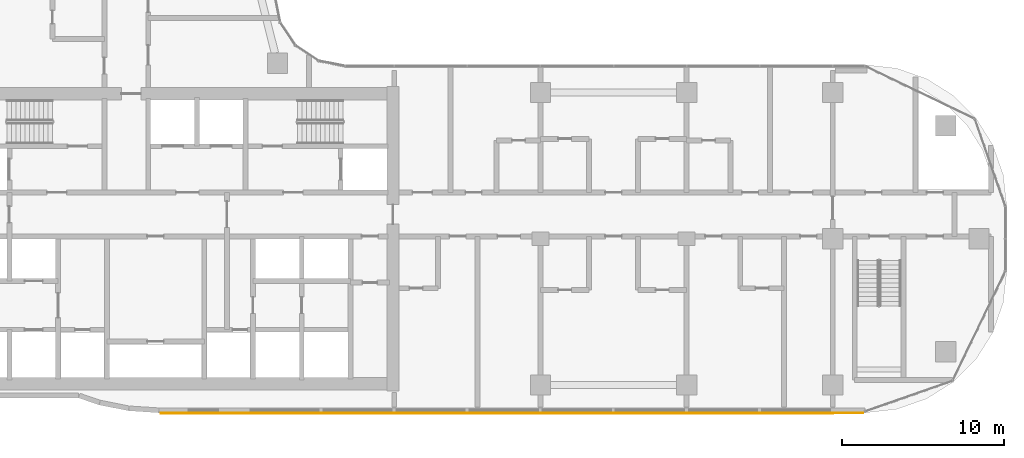
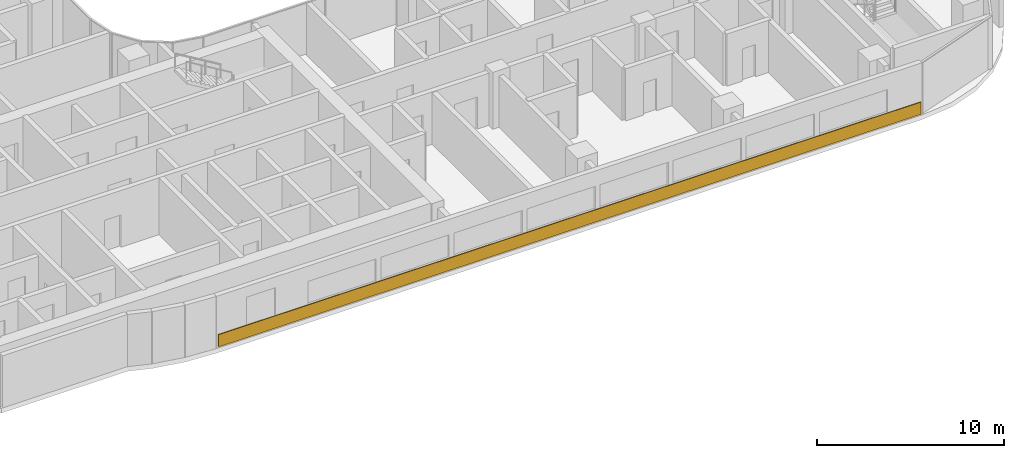
# One storey, part 20 of 22: 1 covering.
"""IFC4 building model written with IfcOpenShell, lengths in metres."""

from ifc_helpers import new_model, si_unit, direction, frame, origin, origin_2d, place, context, subcontext, project, spatial, rectangle, extrude, material, layer, layer_set, type_object, element, save


model = new_model("IFC4")

# Units and contexts
model_context = context("Model", 3, precision=1e-05, world=origin(), true_north=direction((0.0, 1.0)))
body_context = subcontext(model_context, "Body", "Model", "MODEL_VIEW")
ifc_project = project(units=[si_unit("LENGTHUNIT", "METRE"), si_unit("AREAUNIT", "SQUARE_METRE"), si_unit("VOLUMEUNIT", "CUBIC_METRE"), si_unit("PLANEANGLEUNIT", "RADIAN"), si_unit("MASSUNIT", "GRAM", prefix="KILO")], contexts=[model_context])

# Site, building, storey
site_placement = place(None, origin())
site = spatial("IfcSite", under=ifc_project, at=site_placement, CompositionType="ELEMENT")
building_placement = place(site_placement, origin())
building = spatial("IfcBuilding", under=site, at=building_placement, Name="Ogive Portal Towers", CompositionType="ELEMENT")
storey_placement = place(building_placement, frame((0.0, 0.0, 131.5)))
storey = spatial("IfcBuildingStorey", under=building, at=storey_placement, Name="L32", CompositionType="ELEMENT", Elevation=131.5)

# Covering
ifc_material = material(Name="Limestone cladding on lightweight block wall", Category="masonry")
ifc_layer = layer(ifc_material, 0.050048828125)
ifc_layer_set = layer_set([ifc_layer], Name="SCREEN PERFORATED STONE")
covering_type = type_object("IfcCoveringType", Name="SCREEN PERFORATED STONE", PredefinedType="CLADDING", material=ifc_layer_set)
covering_placement = place(storey_placement, frame((65.748046875, 19.760009765625, 0.10009765625), z_axis=(0.0, 0.0, 1.0), x_axis=(1.0, 0.0, 0.0)))
element("IfcCovering", 1, at=covering_placement, inside=storey, type_object=covering_type, Name="Tracery screen", PredefinedType="CLADDING", context=body_context, shape_type="SweptSolid", body=[
    extrude(rectangle(XDim=43.276611328125, YDim=0.050048828125, at=origin_2d()), origin(), (0.0, 0.0, 1.0), 0.800048828125),
])

save(model, "model.ifc")
